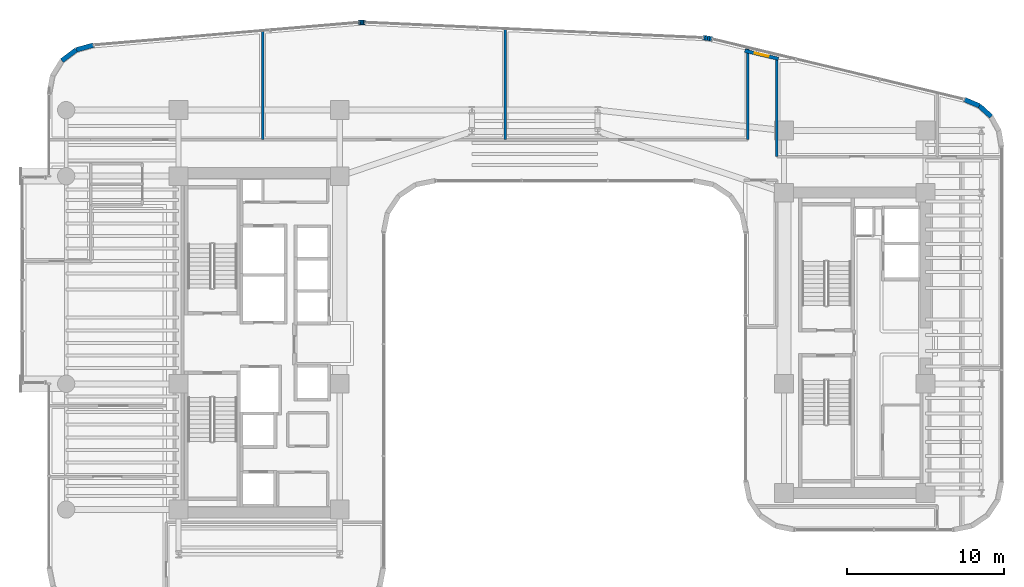
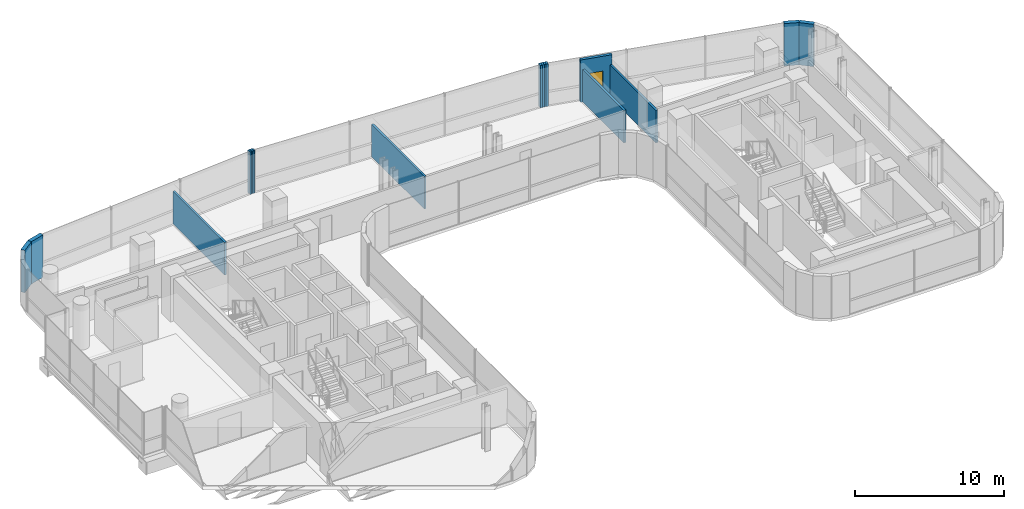
# One storey, part 29 of 34: 17 walls, 1 window, 1 opening.
"""IFC4 building model written with IfcOpenShell, lengths in metres."""

import ifcopenshell
import ifcopenshell.guid

model = None  # the IFC model being written
_history = None  # IfcOwnerHistory: only IFC2X3 demands one
_inside = {}  # id of a spatial element -> (the spatial element, [elements in it])
_under = {}  # id of a project, library or spatial element -> (it, [spatial elements below it])
_declared = {}  # id of a project -> (the project, [libraries it declares])
_typed = {}  # id of a type object -> (the type object, [elements of that type])
_made_of = {}  # id of a material, layer set ... -> (it, [elements and type objects made of it])


def new_model(schema):
    """Start an empty IFC model of exactly this schema.

    Asked for "IFC4X3", IfcOpenShell would pick the latest addendum, in which some entities
    have other attributes; the version numbers below select the first issue.
    IFC2X3 requires an IfcOwnerHistory on every rooted entity: one is made here for all.
    """
    global model, _history
    if schema == "IFC4X3":
        model = ifcopenshell.file(schema_version=(4, 3, 0, 0))
    else:
        model = ifcopenshell.file(schema=schema)
    _inside.clear()
    _under.clear()
    _declared.clear()
    _typed.clear()
    _made_of.clear()
    _history = None
    if model.schema == "IFC2X3":
        org = make("IfcOrganization", Name="unknown")
        user = make(
            "IfcPersonAndOrganization",
            ThePerson=make("IfcPerson", FamilyName="unknown"),
            TheOrganization=org,
        )
        app = make(
            "IfcApplication",
            ApplicationDeveloper=org,
            Version="unknown",
            ApplicationFullName="unknown",
            ApplicationIdentifier="unknown",
        )
        _history = make(
            "IfcOwnerHistory",
            OwningUser=user,
            OwningApplication=app,
            ChangeAction="ADDED",
            CreationDate=0,
        )
    return model


def make(cls, **values):
    """One entity of the class cls with the attributes given. An attribute that is None is left unset."""
    return model.create_entity(
        cls, **{name: value for name, value in values.items() if value is not None}
    )


def rooted(cls, **values):
    """An entity with a GlobalId (a new one), such as an element, a storey or a relation."""
    return make(cls, GlobalId=ifcopenshell.guid.new(), OwnerHistory=_history, **values)


def si_unit(unit_type, name, prefix=None):
    """IfcSIUnit, for example si_unit("LENGTHUNIT", "METRE", prefix="MILLI")."""
    return make("IfcSIUnit", UnitType=unit_type, Prefix=prefix, Name=name)


def assignment(units):
    """IfcUnitAssignment: the units of a project."""
    return None if units is None else make("IfcUnitAssignment", Units=units)


def point(xyz):
    """IfcCartesianPoint."""
    return None if xyz is None else make("IfcCartesianPoint", Coordinates=xyz)


def direction(xyz):
    """IfcDirection."""
    return None if xyz is None else make("IfcDirection", DirectionRatios=xyz)


def frame(location, z_axis=None, x_axis=None):
    """IfcAxis2Placement3D, a coordinate frame: its origin and axes. An axis left out is left unset."""
    return make(
        "IfcAxis2Placement3D",
        Location=point(location),
        Axis=direction(z_axis),
        RefDirection=direction(x_axis),
    )


def frame_2d(location, x_axis=None):
    """IfcAxis2Placement2D, a coordinate frame in the plane: its origin and x axis."""
    return make(
        "IfcAxis2Placement2D", Location=point(location), RefDirection=direction(x_axis)
    )


def origin():
    """The frame at (0, 0, 0) with its axes left unset."""
    return frame((0.0, 0.0, 0.0))


def place(relative_to, where):
    """IfcLocalPlacement: puts the frame where relative to a parent placement (None: the world)."""
    return make(
        "IfcLocalPlacement", PlacementRelTo=relative_to, RelativePlacement=where
    )


def context(
    kind, dimensions, precision=None, world=None, true_north=None, identifier=None
):
    """IfcGeometricRepresentationContext, for example the 3D "Model" context."""
    return make(
        "IfcGeometricRepresentationContext",
        ContextIdentifier=identifier,
        ContextType=kind,
        CoordinateSpaceDimension=dimensions,
        Precision=precision,
        WorldCoordinateSystem=world,
        TrueNorth=true_north,
    )


def subcontext(parent, identifier, kind, view, scale=None):
    """IfcGeometricRepresentationSubContext, for example "Body" below "Model"."""
    return make(
        "IfcGeometricRepresentationSubContext",
        ContextIdentifier=identifier,
        ContextType=kind,
        ParentContext=parent,
        TargetScale=scale,
        TargetView=view,
    )


def project(units=None, contexts=None):
    """IfcProject with its units and contexts."""
    return rooted(
        "IfcProject",
        Name="project",
        RepresentationContexts=contexts,
        UnitsInContext=assignment(units),
    )


def spatial(cls, under=None, at=None, **own):
    """A site, building, storey or space (cls), placed at a placement, below another one or the project."""
    s = rooted(cls, ObjectPlacement=at, **own)
    if under is not None:
        _under.setdefault(under.id(), (under, []))[1].append(s)
    return s


def profile(cls, at=None, kind="AREA", **sizes):
    """A parametric profile (cls). Its sizes go by their IFC names, for example OverallWidth=200.0."""
    return make(cls, ProfileType=kind, Position=at, **sizes)


def rectangle(**sizes):
    """IfcRectangleProfileDef."""
    return profile("IfcRectangleProfileDef", **sizes)


def extrude(swept, where, along, depth):
    """IfcExtrudedAreaSolid: the profile swept, set in the frame where, extruded along a direction by depth."""
    return make(
        "IfcExtrudedAreaSolid",
        SweptArea=swept,
        Position=where,
        ExtrudedDirection=direction(along),
        Depth=depth,
    )


def shape(context_of_items, identifier, shape_type, items):
    """IfcShapeRepresentation: the items that make up one representation, for example the "Body"."""
    return make(
        "IfcShapeRepresentation",
        ContextOfItems=context_of_items,
        RepresentationIdentifier=identifier,
        RepresentationType=shape_type,
        Items=items,
    )


def material(Name=None, Category=None):
    """IfcMaterial."""
    return make("IfcMaterial", Name=Name, Category=Category)


def layer(
    of_material, thickness, ventilated=None, Name=None, Category=None, Priority=None
):
    """IfcMaterialLayer: one layer of a wall or slab, of a material (None: an air gap)."""
    return make(
        "IfcMaterialLayer",
        Material=of_material,
        LayerThickness=thickness,
        IsVentilated=ventilated,
        Name=Name,
        Category=Category,
        Priority=Priority,
    )


def layer_set(layers, Name=None):
    """IfcMaterialLayerSet."""
    return make("IfcMaterialLayerSet", MaterialLayers=layers, LayerSetName=Name)


def made_of(thing, what):
    """Note that an element or type object is made of a material, layer set ...; save() writes the relation."""
    if what is not None:
        _made_of.setdefault(what.id(), (what, []))[1].append(thing)
    return thing


def type_object(cls, material=None, **own):
    """A type object (cls), such as IfcWallType, which elements share."""
    return made_of(rooted(cls, **own), material)


def element(
    cls,
    number,
    at=None,
    inside=None,
    cuts=None,
    type_object=None,
    material=None,
    context=None,
    identifier="Body",
    shape_type=None,
    held_by="IfcProductDefinitionShape",
    body=None,
    shapes=None,
    **own,
):
    """One element of the class cls, such as IfcWall. Its Tag is "e" and its number.

    at: its placement. inside: the storey or other place that contains it. cuts: it is an
    opening in that element (IfcRelVoidsElement). A single representation is given by context,
    identifier, shape_type and body (its items); several are given by shapes. held_by: the class
    of the entity that holds the representations. save() writes the other relations.
    """
    e = rooted(cls, Tag="e%d" % number, ObjectPlacement=at, **own)
    if body is not None:
        shapes = [shape(context, identifier, shape_type, body)]
    if shapes is not None:
        e.Representation = make(held_by, Representations=shapes)
    if inside is not None:
        _inside.setdefault(inside.id(), (inside, []))[1].append(e)
    if cuts is not None:
        rooted(
            "IfcRelVoidsElement", RelatingBuildingElement=cuts, RelatedOpeningElement=e
        )
    if type_object is not None:
        _typed.setdefault(type_object.id(), (type_object, []))[1].append(e)
    return made_of(e, material)


def fill(opening, filler):
    """IfcRelFillsElement: the door or window that sits in an opening."""
    return rooted(
        "IfcRelFillsElement",
        RelatingOpeningElement=opening,
        RelatedBuildingElement=filler,
    )


def aggregate(whole, parts):
    """IfcRelAggregates: a whole, such as a stair, and the parts it consists of."""
    return rooted("IfcRelAggregates", RelatingObject=whole, RelatedObjects=parts)


def save(model, path):
    """Write the relations noted so far, then the file.

    IfcRelAggregates (storeys below a building ...), IfcRelContainedInSpatialStructure (elements
    in a storey), IfcRelDefinesByType, IfcRelAssociatesMaterial and IfcRelDeclares: one each for
    every whole, place, type object, material and project.
    """
    for whole, parts in _under.values():
        aggregate(whole, parts)
    for where, things in _inside.values():
        rooted(
            "IfcRelContainedInSpatialStructure",
            RelatedElements=things,
            RelatingStructure=where,
        )
    for kind, things in _typed.values():
        rooted("IfcRelDefinesByType", RelatedObjects=things, RelatingType=kind)
    for what, things in _made_of.values():
        rooted("IfcRelAssociatesMaterial", RelatedObjects=things, RelatingMaterial=what)
    for by, libraries in _declared.values():
        rooted("IfcRelDeclares", RelatingContext=by, RelatedDefinitions=libraries)
    model.write(path)


model = new_model("IFC4")

# Units and contexts
model_context = context("Model", 3, precision=1e-05, world=origin(), true_north=direction((0.0, 1.0)))
body_context = subcontext(model_context, "Body", "Model", "MODEL_VIEW")
ifc_project = project(units=[si_unit("LENGTHUNIT", "METRE"), si_unit("AREAUNIT", "SQUARE_METRE"), si_unit("VOLUMEUNIT", "CUBIC_METRE"), si_unit("PLANEANGLEUNIT", "RADIAN"), si_unit("MASSUNIT", "GRAM", prefix="KILO")], contexts=[model_context])

# Site, building, storey
site_placement = place(None, origin())
site = spatial("IfcSite", under=ifc_project, at=site_placement, CompositionType="ELEMENT")
building_placement = place(site_placement, origin())
building = spatial("IfcBuilding", under=site, at=building_placement, Name="Valdorenza Pilgrim Sanctuary Tower", CompositionType="ELEMENT")
storey_placement = place(building_placement, frame((0.0, 0.0, 142.699951171875)))
storey = spatial("IfcBuildingStorey", under=building, at=storey_placement, Name="L36", CompositionType="ELEMENT", Elevation=142.699951171875)

# Walls
ifc_material_1 = material(Name="Acoustic twin-stud gypsum partition", Category="gypsum")
ifc_layer_1 = layer(ifc_material_1, 0.159912109375, Name="Acoustic twin-stud gypsum partition")
ifc_layer_set_1 = layer_set([ifc_layer_1], Name="Acoustic twin-stud gypsum partition")
wall_type_1 = type_object("IfcWallType", Name="WAL-COR-160", PredefinedType="PARTITIONING", material=ifc_layer_set_1)
wall_1_placement = place(storey_placement, frame((13.550048828125, 12.919921875, 0.0), z_axis=(0.0, 0.0, 1.0), x_axis=(0.0, 1.0, 0.0)))
element("IfcWall", 1, at=wall_1_placement, inside=storey, type_object=wall_type_1, Name="L36 North Band East Closure", PredefinedType="PARTITIONING", context=body_context, shape_type="SweptSolid", body=[
    extrude(rectangle(XDim=5.856689453125, YDim=0.159912109375, at=frame_2d((2.92822265625, 0.0))), origin(), (0.0, 0.0, 1.0), 2.666015625),
])
wall_2_placement = place(storey_placement, frame((15.39990234375, 11.85009765625, 0.0), z_axis=(0.0, 0.0, 1.0), x_axis=(0.0, 1.0, 0.0)))
element("IfcWall", 2, at=wall_2_placement, inside=storey, type_object=wall_type_1, Name="L36 Wing B North West Wall", PredefinedType="PARTITIONING", context=body_context, shape_type="SweptSolid", body=[
    extrude(rectangle(XDim=6.14990234375, YDim=0.159912109375, at=frame_2d((3.074951171875, 0.0))), origin(), (0.0, 0.0, 1.0), 2.666015625),
])
ifc_material_2 = material(Name="Honed travertine limestone", Category="masonry")
ifc_layer_2 = layer(ifc_material_2, 0.300048828125, Name="Honed travertine limestone")
ifc_layer_set_2 = layer_set([ifc_layer_2], Name="Honed travertine limestone")
wall_type_2 = type_object("IfcWallType", Name="WAL-EXT-300", PredefinedType="SOLIDWALL", material=ifc_layer_set_2)
wall_3_placement = place(storey_placement, frame((-30.07421875, 17.94970703125, 0.0), z_axis=(0.0, 0.0, 1.0), x_axis=(0.800975009324, 0.598697782223, 0.0)))
element("IfcWall", 3, at=wall_3_placement, inside=storey, type_object=wall_type_2, Name="L36 Rounded Wind-Corner Stone Pier 4", PredefinedType="SOLIDWALL", context=body_context, shape_type="SweptSolid", body=[
    extrude(rectangle(XDim=1.140625, YDim=0.300048828125, at=frame_2d((0.5703125, 0.0))), origin(), (0.0, 0.0, 1.0), 3.4599609375),
])
wall_4_placement = place(storey_placement, frame((-29.16064453125, 18.632568359375, 0.0), z_axis=(0.0, 0.0, 1.0), x_axis=(0.963624193367, 0.267260947313, 0.0)))
element("IfcWall", 4, at=wall_4_placement, inside=storey, type_object=wall_type_2, Name="L36 Rounded Wind-Corner Stone Pier 5", PredefinedType="SOLIDWALL", context=body_context, shape_type="SweptSolid", body=[
    extrude(rectangle(XDim=1.15087890625, YDim=0.300048828125, at=frame_2d((0.575439453125, 0.0))), origin(), (0.0, 0.0, 1.0), 3.4599609375),
])
wall_5_placement = place(storey_placement, frame((-11.199462890625, 20.37255859375, 0.0), z_axis=(0.0, 0.0, 1.0), x_axis=(0.997567332166, 0.069709524416, 0.0)))
element("IfcWall", 5, at=wall_5_placement, inside=storey, type_object=wall_type_2, Name="L36 Rounded Wind-Corner Stone Pier 7", PredefinedType="SOLIDWALL", context=body_context, shape_type="SweptSolid", body=[
    extrude(rectangle(XDim=0.1015625, YDim=0.300048828125, at=frame_2d((0.05078125, 0.0))), origin(), (0.0, 0.0, 1.0), 3.4599609375),
])
wall_6_placement = place(storey_placement, frame((-11.09814453125, 20.379638671875, 0.0), z_axis=(0.0, 0.0, 1.0), x_axis=(0.999334672785, 0.03647206835, 0.0)))
element("IfcWall", 6, at=wall_6_placement, inside=storey, type_object=wall_type_2, Name="L36 Rounded Wind-Corner Stone Pier 8", PredefinedType="SOLIDWALL", context=body_context, shape_type="SweptSolid", body=[
    extrude(rectangle(XDim=0.100341796875, YDim=0.300048828125, at=frame_2d((0.05029296875, 0.0))), origin(), (0.0, 0.0, 1.0), 3.4599609375),
])
wall_7_placement = place(storey_placement, frame((-10.997802734375, 20.38330078125, 0.0), z_axis=(0.0, 0.0, 1.0), x_axis=(0.999997054401, 0.002427177317, 0.0)))
element("IfcWall", 7, at=wall_7_placement, inside=storey, type_object=wall_type_2, Name="L36 Rounded Wind-Corner Stone Pier 9", PredefinedType="SOLIDWALL", context=body_context, shape_type="SweptSolid", body=[
    extrude(rectangle(XDim=0.1005859375, YDim=0.300048828125, at=frame_2d((0.05029296875, 0.0))), origin(), (0.0, 0.0, 1.0), 3.4599609375),
])
wall_8_placement = place(storey_placement, frame((-10.897216796875, 20.383544921875, 0.0), z_axis=(0.0, 0.0, 1.0), x_axis=(0.999584209171, -0.02883415988, 0.0)))
element("IfcWall", 8, at=wall_8_placement, inside=storey, type_object=wall_type_2, Name="L36 Rounded Wind-Corner Stone Pier 10", PredefinedType="SOLIDWALL", context=body_context, shape_type="SweptSolid", body=[
    extrude(rectangle(XDim=0.1015625, YDim=0.300048828125, at=frame_2d((0.05078125, 0.0))), origin(), (0.0, 0.0, 1.0), 3.4599609375),
])
wall_9_placement = place(storey_placement, frame((10.68994140625, 19.404052734375, 0.0), z_axis=(0.0, 0.0, 1.0), x_axis=(0.99758310784, -0.069483400546, 0.0)))
element("IfcWall", 9, at=wall_9_placement, inside=storey, type_object=wall_type_2, Name="L36 Rounded Wind-Corner Stone Pier 12", PredefinedType="SOLIDWALL", context=body_context, shape_type="SweptSolid", body=[
    extrude(rectangle(XDim=0.1474609375, YDim=0.300048828125, at=frame_2d((0.07373046875, 0.0))), origin(), (0.0, 0.0, 1.0), 3.4599609375),
])
for number, where, z_axis, x_axis, name in (
    (10, (10.837158203125, 19.393798828125, 0.0), (0.0, 0.0, 1.0), (0.993173334962, -0.116647874912, 0.0), "L36 Rounded Wind-Corner Stone Pier 13"),
    (11, (10.982666015625, 19.376708984375, 0.0), (0.0, 0.0, 1.0), (0.986573494681, -0.163317909592, 0.0), "L36 Rounded Wind-Corner Stone Pier 14"),
):
    element("IfcWall", number, at=place(storey_placement, frame(where, z_axis=z_axis, x_axis=x_axis)), inside=storey, type_object=wall_type_2, Name=name, PredefinedType="SOLIDWALL", context=body_context, shape_type="SweptSolid", body=[
        extrude(rectangle(XDim=0.146484375, YDim=0.300048828125, at=frame_2d((0.0732421875, 0.0))), origin(), (0.0, 0.0, 1.0), 3.4599609375),
    ])
wall_10_placement = place(storey_placement, frame((11.127197265625, 19.352783203125, 0.0), z_axis=(0.0, 0.0, 1.0), x_axis=(0.978019841688, -0.208511844421, 0.0)))
element("IfcWall", 12, at=wall_10_placement, inside=storey, type_object=wall_type_2, Name="L36 Rounded Wind-Corner Stone Pier 15", PredefinedType="SOLIDWALL", context=body_context, shape_type="SweptSolid", body=[
    extrude(rectangle(XDim=0.1474609375, YDim=0.300048828125, at=frame_2d((0.07373046875, 0.0))), origin(), (0.0, 0.0, 1.0), 3.4599609375),
])

# Wall, opening, window
wall_11_placement = place(storey_placement, frame((13.355224609375, 18.576416015625, 0.0), z_axis=(0.0, 0.0, 1.0), x_axis=(0.97252211384, -0.232810519721, 0.0)))
wall_11 = element("IfcWall", 13, at=wall_11_placement, inside=storey, type_object=wall_type_2, Name="L36 Operable Ventilation Sash Jamb Pier", PredefinedType="SOLIDWALL", context=body_context, shape_type="SweptSolid", body=[
    extrude(rectangle(XDim=2.2001953125, YDim=0.219970703125, at=frame_2d((1.10009765625, 0.0))), origin(), (0.0, 0.0, 1.0), 3.4599609375),
])
opening_placement = place(wall_11_placement, frame((0.64990234375, 0.0, 0.949951171875)))
opening = element("IfcOpeningElement", 14, at=opening_placement, cuts=wall_11, Name="Opening WN-OP1", PredefinedType="OPENING", context=body_context, shape_type="SweptSolid", body=[
    extrude(rectangle(XDim=0.89990234375, YDim=1.300048828125, at=frame_2d((0.449951171875, 0.64990234375))), frame((0.0, 0.125, 0.0), z_axis=(0.0, -1.0, 0.0), x_axis=(1.0, 0.0, 0.0)), (0.0, 0.0, 1.0), 0.249755859375),
])
ifc_material_3 = material(Name="Ceramic-fritted low-E IGU glazing", Category="glass")
window_type = type_object("IfcWindowType", Name="WIN-OPN-900", PartitioningType="SINGLE_PANEL", PredefinedType="WINDOW", material=ifc_material_3)
window_placement = place(opening_placement, origin())
window = element("IfcWindow", 15, at=window_placement, inside=storey, type_object=window_type, Name="L36 Parallel-Pop-Out Operable Facade Panel", OverallHeight=1.300048828125, OverallWidth=0.89990234375, PartitioningType="SINGLE_PANEL", PredefinedType="WINDOW", context=body_context, shape_type="SweptSolid", body=[
    extrude(rectangle(XDim=0.89990234375, YDim=1.300048828125, at=frame_2d((0.449951171875, 0.64990234375))), frame((0.0, 0.030029296875, 0.0), z_axis=(0.0, -1.0, 0.0), x_axis=(1.0, 0.0, 0.0)), (0.0, 0.0, 1.0), 0.06005859375),
])
fill(opening, window)

# Walls
wall_12_placement = place(storey_placement, frame((27.310302734375, 15.48291015625, 0.0), z_axis=(0.0, 0.0, 1.0), x_axis=(0.920250328759, -0.391330208927, 0.0)))
element("IfcWall", 16, at=wall_12_placement, inside=storey, type_object=wall_type_2, Name="L36 Rounded Wind-Corner Stone Pier 17", PredefinedType="SOLIDWALL", context=body_context, shape_type="SweptSolid", body=[
    extrude(rectangle(XDim=1.0361328125, YDim=0.300048828125, at=frame_2d((0.51806640625, 0.0))), origin(), (0.0, 0.0, 1.0), 3.4599609375),
])
wall_13_placement = place(storey_placement, frame((28.263916015625, 15.077392578125, 0.0), z_axis=(0.0, 0.0, 1.0), x_axis=(0.741208839713, -0.671274501178, 0.0)))
element("IfcWall", 17, at=wall_13_placement, inside=storey, type_object=wall_type_2, Name="L36 Rounded Wind-Corner Stone Pier 18", PredefinedType="SOLIDWALL", context=body_context, shape_type="SweptSolid", body=[
    extrude(rectangle(XDim=1.0263671875, YDim=0.300048828125, at=frame_2d((0.51318359375, 0.0))), origin(), (0.0, 0.0, 1.0), 3.4599609375),
])
ifc_layer_3 = layer(ifc_material_1, 0.14990234375, Name="Acoustic twin-stud gypsum partition")
ifc_layer_set_3 = layer_set([ifc_layer_3], Name="Acoustic twin-stud gypsum partition")
wall_type_3 = type_object("IfcWallType", Name="WAL-UNT-150", PredefinedType="PARTITIONING", material=ifc_layer_set_3)
wall_14_placement = place(storey_placement, frame((-17.31005859375, 12.919921875, 0.0), z_axis=(0.0, 0.0, 1.0), x_axis=(0.0, 1.0, 0.0)))
element("IfcWall", 18, at=wall_14_placement, inside=storey, type_object=wall_type_3, Name="L36 Private Banquet Dining Room L36-N2 Demising Wall", PredefinedType="PARTITIONING", context=body_context, shape_type="SweptSolid", body=[
    extrude(rectangle(XDim=6.933349609375, YDim=0.14990234375, at=frame_2d((3.466796875, 0.0))), origin(), (0.0, 0.0, 1.0), 2.666015625),
])
wall_15_placement = place(storey_placement, frame((-1.8798828125, 12.919921875, 0.0), z_axis=(0.0, 0.0, 1.0), x_axis=(0.0, 1.0, 0.0)))
element("IfcWall", 19, at=wall_15_placement, inside=storey, type_object=wall_type_3, Name="L36 Private Banquet Dining Room L36-N3 Demising Wall", PredefinedType="PARTITIONING", context=body_context, shape_type="SweptSolid", body=[
    extrude(rectangle(XDim=7.055419921875, YDim=0.14990234375, at=frame_2d((3.52783203125, 0.0))), origin(), (0.0, 0.0, 1.0), 2.666015625),
])

save(model, "model.ifc")
